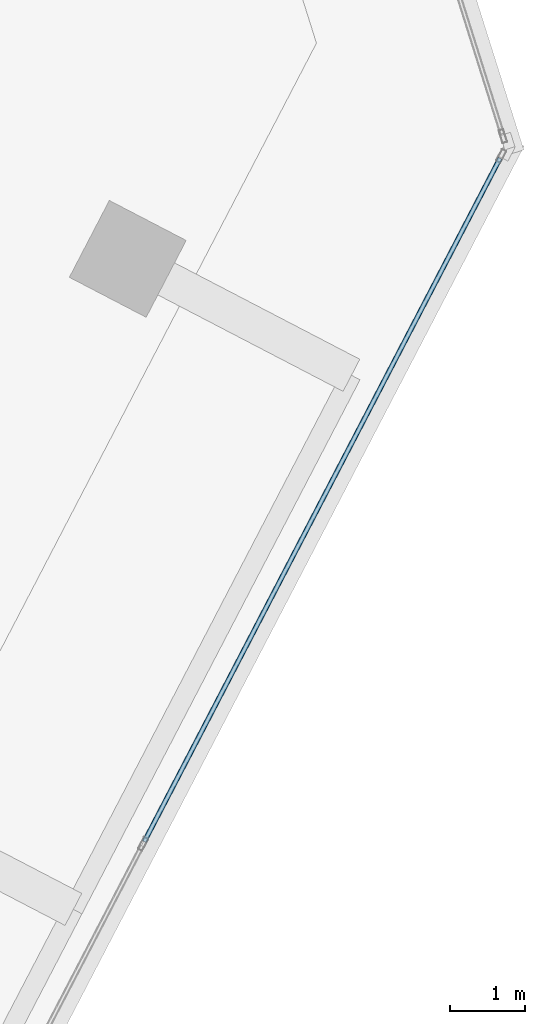
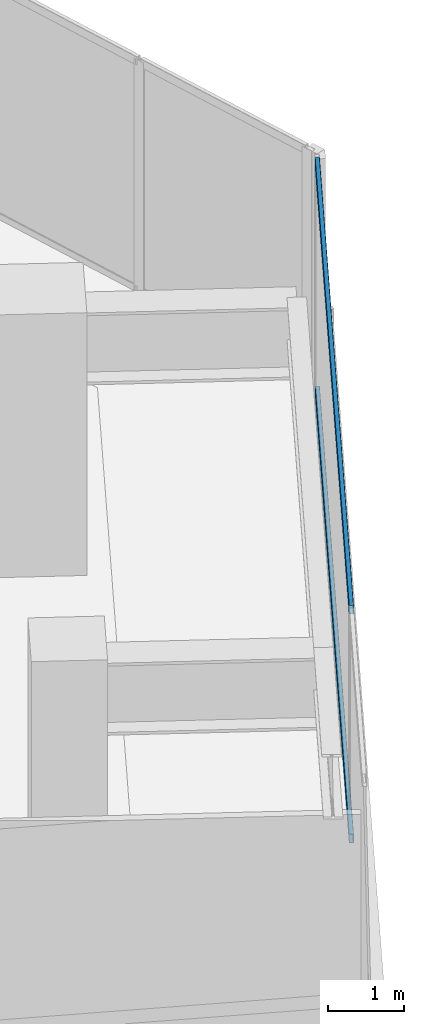
# One storey, part 9 of 22: 2 members, 1 element without a shape of its own.
"""IFC4 building model written with IfcOpenShell, lengths in metres."""

from ifc_helpers import new_model, si_unit, direction, frame, origin, origin_2d, place, context, subcontext, project, spatial, hollow_rectangle, extrude, source, transform, mapped, material, material_profile, profile_set, type_object, element, aggregate, save


model = new_model("IFC4")

# Units and contexts
model_context = context("Model", 3, precision=1e-05, world=origin(), true_north=direction((0.0, 1.0)))
body_context = subcontext(model_context, "Body", "Model", "MODEL_VIEW")
ifc_project = project(units=[si_unit("LENGTHUNIT", "METRE"), si_unit("AREAUNIT", "SQUARE_METRE"), si_unit("VOLUMEUNIT", "CUBIC_METRE"), si_unit("PLANEANGLEUNIT", "RADIAN"), si_unit("MASSUNIT", "GRAM", prefix="KILO")], contexts=[model_context])

# Site, building, storey
site_placement = place(None, origin())
site = spatial("IfcSite", under=ifc_project, at=site_placement, CompositionType="ELEMENT")
building_placement = place(site_placement, origin())
building = spatial("IfcBuilding", under=site, at=building_placement, Name="Torre Montelarca", CompositionType="ELEMENT")
storey_placement = place(building_placement, frame((0.0, 0.0, 166.60009765625)))
storey = spatial("IfcBuildingStorey", under=building, at=storey_placement, Name="L37", CompositionType="ELEMENT", Elevation=166.60009765625)

# Curtain wall, members
ifc_material_1 = material(Name="Insulated low-E laminated glass", Category="glass")
curtain_wall_type = type_object("IfcCurtainWallType", Name="CW-SYS-Z2", PredefinedType="USERDEFINED", material=ifc_material_1)
curtain_wall_placement = place(storey_placement, origin())
curtain_wall = element("IfcCurtainWall", 1, at=curtain_wall_placement, inside=storey, type_object=curtain_wall_type, Name="L37 Curtain Wall Run CW-T3-L37-E06-B1", ObjectType="UNITISED GLAZING", PredefinedType="USERDEFINED")
ifc_material_2 = material(Name="Anodised aluminium AA 6063-T6", Category="aluminium")
ifc_material_profile = material_profile(ifc_material_2, hollow_rectangle(XDim=0.06494140625, YDim=0.139892578125, WallThickness=0.00390625, InnerFilletRadius=0.00390625, OuterFilletRadius=0.008056640625, at=origin_2d()), Name="ALU65X140X4", Category="aluminium")
ifc_profile_set = profile_set([ifc_material_profile], Name="Anodised aluminium AA 6063-T6")
member_type = type_object("IfcMemberType", Name="CWT-ALU140", PredefinedType="USERDEFINED", material=ifc_profile_set)
shared_shape = source(origin(), body_context, "Body", "SweptSolid", [
    extrude(hollow_rectangle(XDim=0.06494140625, YDim=0.139892578125, WallThickness=0.00390625, InnerFilletRadius=0.00390625, OuterFilletRadius=0.008056640625, at=origin_2d()), origin(), (0.0, 0.0, 1.0), 10.23681640625),
])
member_1_placement = place(storey_placement, frame((48.9189453125, 19.1162109375, 0.032470703125), z_axis=(0.461749931551, 0.887010146905, 0.0), x_axis=(-0.887010146905, 0.461749931551, 0.0)))
member_1 = element("IfcMember", 2, at=member_1_placement, type_object=member_type, Name="CW transom 2.1", ObjectType="TRANSOM", PredefinedType="USERDEFINED", context=body_context, shape_type="MappedRepresentation", body=[
    mapped(shared_shape, transform((0.0, 0.0, 0.0), scale=1.0)),
])
member_2_placement = place(storey_placement, frame((48.9189453125, 19.1162109375, 3.6875), z_axis=(0.461749931551, 0.887010146905, 0.0), x_axis=(-0.887010146905, 0.461749931551, 0.0)))
member_2 = element("IfcMember", 3, at=member_2_placement, type_object=member_type, Name="CW transom 2.2", ObjectType="TRANSOM", PredefinedType="USERDEFINED", context=body_context, shape_type="MappedRepresentation", body=[
    mapped(shared_shape, transform((0.0, 0.0, 0.0), scale=1.0)),
])
aggregate(curtain_wall, [member_1, member_2])

save(model, "model.ifc")
